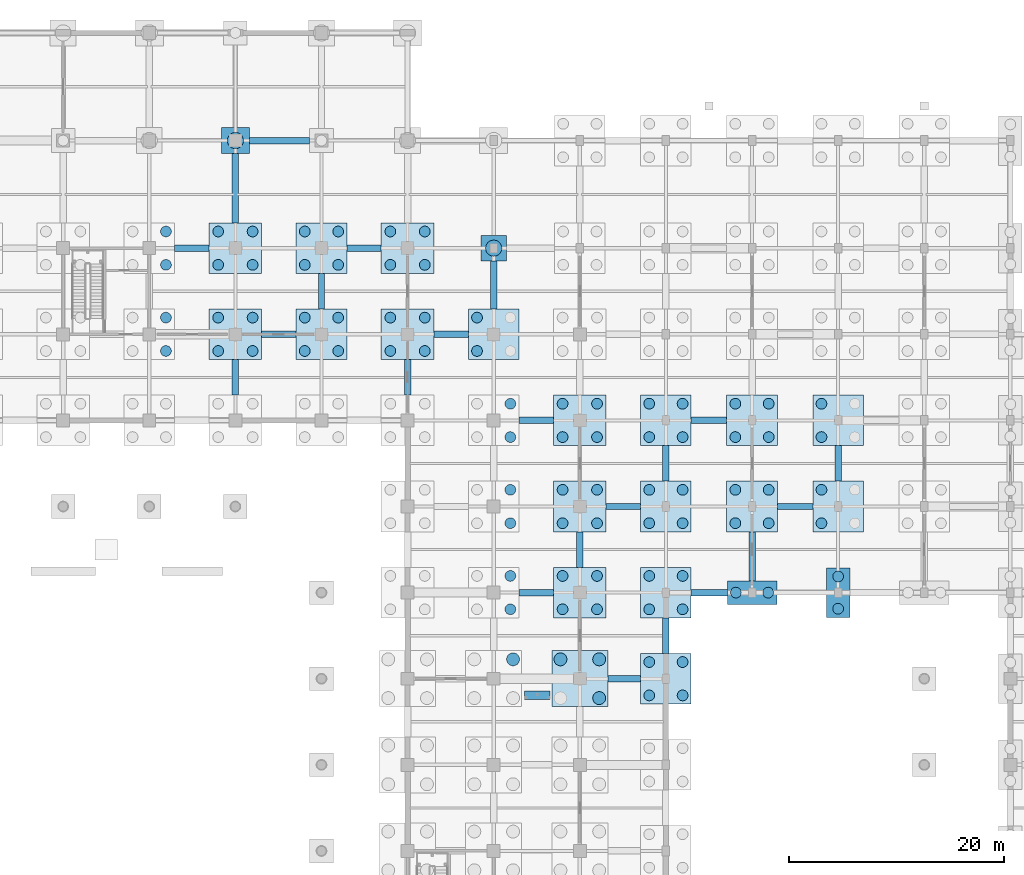
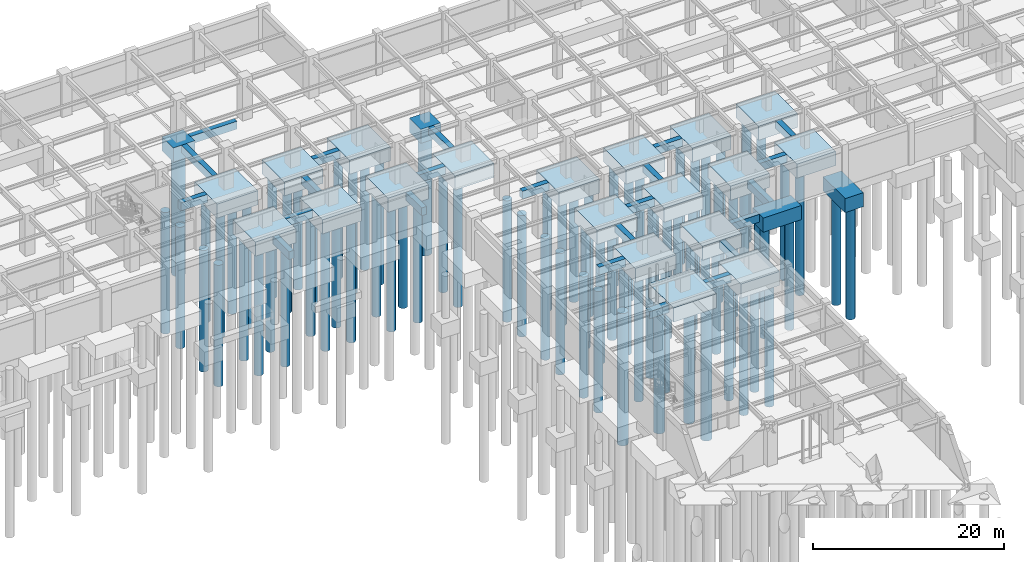
# One storey, part 18 of 97: 86 piles, 46 footings.
"""IFC4 building model written with IfcOpenShell, lengths in metres."""

from ifc_helpers import new_model, si_unit, direction, frame, origin, origin_2d, place, context, subcontext, project, spatial, rectangle, circle, extrude, material, layer, layer_set, material_profile, profile_set, type_object, element, save


model = new_model("IFC4")

# Units and contexts
model_context = context("Model", 3, precision=1e-05, world=origin(), true_north=direction((0.0, 1.0)))
body_context = subcontext(model_context, "Body", "Model", "MODEL_VIEW")
ifc_project = project(units=[si_unit("LENGTHUNIT", "METRE"), si_unit("AREAUNIT", "SQUARE_METRE"), si_unit("VOLUMEUNIT", "CUBIC_METRE"), si_unit("PLANEANGLEUNIT", "RADIAN"), si_unit("MASSUNIT", "GRAM", prefix="KILO")], contexts=[model_context])

# Site, building, storey
site_placement = place(None, origin())
site = spatial("IfcSite", under=ifc_project, at=site_placement, CompositionType="ELEMENT")
building_placement = place(site_placement, origin())
building = spatial("IfcBuilding", under=site, at=building_placement, Name="Haebicheon Civic Stadium", CompositionType="ELEMENT")
storey_placement = place(building_placement, frame((0.0, 0.0, -5.39990234375)))
storey = spatial("IfcBuildingStorey", under=building, at=storey_placement, Name="B1", CompositionType="ELEMENT", Elevation=-5.39990234375)

# Footings
ifc_material_1 = material(Name="Concrete C40/50", Category="concrete")
ifc_layer_1 = layer(ifc_material_1, 1.0, Name="Concrete C40/50")
ifc_layer_set_1 = layer_set([ifc_layer_1], Name="Concrete C40/50")
footing_type_1 = type_object("IfcFootingType", Name="FB-3050x600", PredefinedType="FOOTING_BEAM", material=ifc_layer_set_1)
footing_1_placement = place(storey_placement, frame((164.125, 128.0, -1.0), z_axis=(0.0, 0.0, 1.0), x_axis=(1.0, 0.0, 0.0)))
element("IfcFooting", 1, at=footing_1_placement, inside=storey, type_object=footing_type_1, material=ifc_layer_set_1, Name="Ground tie beam X 20-16", PredefinedType="FOOTING_BEAM", context=body_context, shape_type="SweptSolid", body=[
    extrude(rectangle(XDim=3.050048828125, YDim=0.60009765625, at=origin_2d()), origin(), (0.0, 0.0, 1.0), 1.0),
])
ifc_material_2 = material(Name="Concrete C40/50", Category="concrete")
ifc_layer_2 = layer(ifc_material_2, 1.0, Name="Concrete C40/50")
ifc_layer_set_2 = layer_set([ifc_layer_2], Name="Concrete C40/50")
footing_type_2 = type_object("IfcFootingType", Name="FB-3200x600", PredefinedType="FOOTING_BEAM", material=ifc_layer_set_2)
for number, where, z_axis, x_axis, name in (
    (2, (123.949951171875, 168.0, -1.0), (0.0, 0.0, 1.0), (1.0, 0.0, 0.0), "Ground tie beam X 15-21"),
    (3, (132.050048828125, 160.0, -1.0), (0.0, 0.0, 1.0), (1.0, 0.0, 0.0), "Ground tie beam X 16-20"),
    (4, (139.949951171875, 168.0, -1.0), (0.0, 0.0, 1.0), (1.0, 0.0, 0.0), "Ground tie beam X 17-21"),
    (5, (148.050048828125, 160.0, -1.0), (0.0, 0.0, 1.0), (1.0, 0.0, 0.0), "Ground tie beam X 18-20"),
    (6, (155.949951171875, 136.0, -1.0), (0.0, 0.0, 1.0), (1.0, 0.0, 0.0), "Ground tie beam X 19-17"),
    (7, (155.949951171875, 152.0, -1.0), (0.0, 0.0, 1.0), (1.0, 0.0, 0.0), "Ground tie beam X 19-19"),
    (8, (164.050048828125, 144.0, -1.0), (0.0, 0.0, 1.0), (1.0, 0.0, 0.0), "Ground tie beam X 20-18"),
):
    element("IfcFooting", number, at=place(storey_placement, frame(where, z_axis=z_axis, x_axis=x_axis)), inside=storey, type_object=footing_type_2, material=ifc_layer_set_2, Name=name, PredefinedType="FOOTING_BEAM", context=body_context, shape_type="SweptSolid", body=[
        extrude(rectangle(XDim=3.199951171875, YDim=0.60009765625, at=origin_2d()), origin(), (0.0, 0.0, 1.0), 1.0),
    ])
ifc_material_3 = material(Name="Concrete C40/50", Category="concrete")
ifc_layer_3 = layer(ifc_material_3, 1.0, Name="Concrete C40/50")
ifc_layer_set_3 = layer_set([ifc_layer_3], Name="Concrete C40/50")
footing_type_3 = type_object("IfcFootingType", Name="FB-3300x600", PredefinedType="FOOTING_BEAM", material=ifc_layer_set_3)
for number, where, z_axis, x_axis, name in (
    (9, (128.0, 156.0, -1.0), (0.0, 0.0, 1.0), (0.0, 1.0, 0.0), "Ground tie beam Y 16-19"),
    (10, (136.0, 164.0, -1.0), (0.0, 0.0, 1.0), (0.0, 1.0, 0.0), "Ground tie beam Y 17-20"),
    (11, (144.0, 156.0, -1.0), (0.0, 0.0, 1.0), (0.0, 1.0, 0.0), "Ground tie beam Y 18-19"),
    (12, (160.0, 140.0, -1.0), (0.0, 0.0, 1.0), (0.0, 1.0, 0.0), "Ground tie beam Y 20-17"),
    (13, (168.0, 132.0, -1.0), (0.0, 0.0, 1.0), (0.0, 1.0, 0.0), "Ground tie beam Y 21-16"),
    (14, (168.0, 148.0, -1.0), (0.0, 0.0, 1.0), (0.0, 1.0, 0.0), "Ground tie beam Y 21-18"),
    (15, (172.0, 152.0, -1.0), (0.0, 0.0, 1.0), (1.0, 0.0, 0.0), "Ground tie beam X 21-19"),
    (16, (180.0, 144.0, -1.0), (0.0, 0.0, 1.0), (1.0, 0.0, 0.0), "Ground tie beam X 22-18"),
    (17, (184.0, 148.0, -1.0), (0.0, 0.0, 1.0), (0.0, 1.0, 0.0), "Ground tie beam Y 23-18"),
):
    element("IfcFooting", number, at=place(storey_placement, frame(where, z_axis=z_axis, x_axis=x_axis)), inside=storey, type_object=footing_type_3, material=ifc_layer_set_3, Name=name, PredefinedType="FOOTING_BEAM", context=body_context, shape_type="SweptSolid", body=[
        extrude(rectangle(XDim=3.300048828125, YDim=0.60009765625, at=origin_2d()), origin(), (0.0, 0.0, 1.0), 1.0),
    ])
ifc_material_4 = material(Name="Concrete C40/50", Category="concrete")
ifc_layer_4 = layer(ifc_material_4, 1.0, Name="Concrete C40/50")
ifc_layer_set_4 = layer_set([ifc_layer_4], Name="Concrete C40/50")
footing_type_4 = type_object("IfcFootingType", Name="FB-3350x600", PredefinedType="FOOTING_BEAM", material=ifc_layer_set_4)
footing_2_placement = place(storey_placement, frame((172.02490234375, 136.0, -1.0), z_axis=(0.0, 0.0, 1.0), x_axis=(1.0, 0.0, 0.0)))
element("IfcFooting", 18, at=footing_2_placement, inside=storey, type_object=footing_type_4, material=ifc_layer_set_4, Name="Ground tie beam X 21-17", PredefinedType="FOOTING_BEAM", context=body_context, shape_type="SweptSolid", body=[
    extrude(rectangle(XDim=3.35009765625, YDim=0.60009765625, at=origin_2d()), origin(), (0.0, 0.0, 1.0), 1.0),
])
ifc_material_5 = material(Name="Concrete C40/50", Category="concrete")
ifc_layer_5 = layer(ifc_material_5, 1.0, Name="Concrete C40/50")
ifc_layer_set_5 = layer_set([ifc_layer_5], Name="Concrete C40/50")
footing_type_5 = type_object("IfcFootingType", Name="FB-4450x600", PredefinedType="FOOTING_BEAM", material=ifc_layer_set_5)
footing_3_placement = place(storey_placement, frame((152.0, 164.574951171875, -1.0), z_axis=(0.0, 0.0, 1.0), x_axis=(0.0, 1.0, 0.0)))
element("IfcFooting", 19, at=footing_3_placement, inside=storey, type_object=footing_type_5, material=ifc_layer_set_5, Name="Ground tie beam Y 19-20", PredefinedType="FOOTING_BEAM", context=body_context, shape_type="SweptSolid", body=[
    extrude(rectangle(XDim=4.449951171875, YDim=0.60009765625, at=origin_2d()), origin(), (0.0, 0.0, 1.0), 1.0),
])
ifc_material_6 = material(Name="Concrete C40/50", Category="concrete")
ifc_layer_6 = layer(ifc_material_6, 1.0, Name="Concrete C40/50")
ifc_layer_set_6 = layer_set([ifc_layer_6], Name="Concrete C40/50")
footing_type_6 = type_object("IfcFootingType", Name="FB-4550x600", PredefinedType="FOOTING_BEAM", material=ifc_layer_set_6)
footing_4_placement = place(storey_placement, frame((176.0, 139.375, -1.0), z_axis=(0.0, 0.0, 1.0), x_axis=(0.0, 1.0, 0.0)))
element("IfcFooting", 20, at=footing_4_placement, inside=storey, type_object=footing_type_6, material=ifc_layer_set_6, Name="Ground tie beam Y 22-17", PredefinedType="FOOTING_BEAM", context=body_context, shape_type="SweptSolid", body=[
    extrude(rectangle(XDim=4.550048828125, YDim=0.60009765625, at=origin_2d()), origin(), (0.0, 0.0, 1.0), 1.0),
])
ifc_material_7 = material(Name="Concrete C40/50", Category="concrete")
ifc_layer_7 = layer(ifc_material_7, 1.0, Name="Concrete C40/50")
ifc_layer_set_7 = layer_set([ifc_layer_7], Name="Concrete C40/50")
footing_type_7 = type_object("IfcFootingType", Name="FB-5600x600", PredefinedType="FOOTING_BEAM", material=ifc_layer_set_7)
footing_5_placement = place(storey_placement, frame((132.10009765625, 178.0, -1.0), z_axis=(0.0, 0.0, 1.0), x_axis=(1.0, 0.0, 0.0)))
element("IfcFooting", 21, at=footing_5_placement, inside=storey, type_object=footing_type_7, material=ifc_layer_set_7, Name="Ground tie beam X 16-22", PredefinedType="FOOTING_BEAM", context=body_context, shape_type="SweptSolid", body=[
    extrude(rectangle(XDim=5.60009765625, YDim=0.60009765625, at=origin_2d()), origin(), (0.0, 0.0, 1.0), 1.0),
])
ifc_material_8 = material(Name="Concrete C40/50", Category="concrete")
ifc_layer_8 = layer(ifc_material_8, 1.0, Name="Concrete C40/50")
ifc_layer_set_8 = layer_set([ifc_layer_8], Name="Concrete C40/50")
footing_type_8 = type_object("IfcFootingType", Name="FB-6450x600", PredefinedType="FOOTING_BEAM", material=ifc_layer_set_8)
footing_6_placement = place(storey_placement, frame((128.0, 173.574951171875, -1.0), z_axis=(0.0, 0.0, 1.0), x_axis=(0.0, 1.0, 0.0)))
element("IfcFooting", 22, at=footing_6_placement, inside=storey, type_object=footing_type_8, material=ifc_layer_set_8, Name="Ground tie beam Y 16-21", PredefinedType="FOOTING_BEAM", context=body_context, shape_type="SweptSolid", body=[
    extrude(rectangle(XDim=6.449951171875, YDim=0.60009765625, at=origin_2d()), origin(), (0.0, 0.0, 1.0), 1.0),
])
ifc_material_9 = material(Name="Concrete C40/50", Category="concrete")
ifc_layer_9 = layer(ifc_material_9, 1.800048828125, Name="Concrete C40/50")
ifc_layer_set_9 = layer_set([ifc_layer_9], Name="Concrete C40/50")
footing_type_9 = type_object("IfcFootingType", Name="PC-1P-2400", PredefinedType="PILE_CAP", material=ifc_layer_set_9)
footing_7_placement = place(storey_placement, frame((152.0, 168.0, -1.80029296875), z_axis=(0.0, 0.0, 1.0), x_axis=(1.0, 0.0, 0.0)))
element("IfcFooting", 23, at=footing_7_placement, inside=storey, type_object=footing_type_9, material=ifc_layer_set_9, Name="Pile cap FT-PC-19-21", PredefinedType="PILE_CAP", context=body_context, shape_type="SweptSolid", body=[
    extrude(rectangle(XDim=2.39990234375, YDim=2.39990234375, at=origin_2d()), origin(), (0.0, 0.0, 1.0), 1.800048828125),
])
ifc_material_10 = material(Name="Concrete C40/50", Category="concrete")
ifc_layer_10 = layer(ifc_material_10, 1.800048828125, Name="Concrete C40/50")
ifc_layer_set_10 = layer_set([ifc_layer_10], Name="Concrete C40/50")
footing_type_10 = type_object("IfcFootingType", Name="PC-1P-2600", PredefinedType="PILE_CAP", material=ifc_layer_set_10)
footing_8_placement = place(storey_placement, frame((128.0, 178.0, -1.80029296875), z_axis=(0.0, 0.0, 1.0), x_axis=(1.0, 0.0, 0.0)))
element("IfcFooting", 24, at=footing_8_placement, inside=storey, type_object=footing_type_10, material=ifc_layer_set_10, Name="Pile cap FT-PC-16-22", PredefinedType="PILE_CAP", context=body_context, shape_type="SweptSolid", body=[
    extrude(rectangle(XDim=2.60009765625, YDim=2.39990234375, at=origin_2d()), origin(), (0.0, 0.0, 1.0), 1.800048828125),
])
ifc_material_11 = material(Name="Concrete C40/50", Category="concrete")
ifc_layer_11 = layer(ifc_material_11, 1.800048828125, Name="Concrete C40/50")
ifc_layer_set_11 = layer_set([ifc_layer_11], Name="Concrete C40/50")
footing_type_11 = type_object("IfcFootingType", Name="PC-2P-2200", PredefinedType="PILE_CAP", material=ifc_layer_set_11)
footing_9_placement = place(storey_placement, frame((184.0, 136.0, -1.80029296875), z_axis=(0.0, 0.0, 1.0), x_axis=(1.0, 0.0, 0.0)))
element("IfcFooting", 25, at=footing_9_placement, inside=storey, type_object=footing_type_11, material=ifc_layer_set_11, Name="Pile cap FT-PC-23-17", PredefinedType="PILE_CAP", context=body_context, shape_type="SweptSolid", body=[
    extrude(rectangle(XDim=2.199951171875, YDim=4.60009765625, at=origin_2d()), origin(), (0.0, 0.0, 1.0), 1.800048828125),
])
ifc_material_12 = material(Name="Concrete C40/50", Category="concrete")
ifc_layer_12 = layer(ifc_material_12, 1.800048828125, Name="Concrete C40/50")
ifc_layer_set_12 = layer_set([ifc_layer_12], Name="Concrete C40/50")
footing_type_12 = type_object("IfcFootingType", Name="PC-2P-4600", PredefinedType="PILE_CAP", material=ifc_layer_set_12)
footing_10_placement = place(storey_placement, frame((176.0, 136.0, -1.80029296875), z_axis=(0.0, 0.0, 1.0), x_axis=(1.0, 0.0, 0.0)))
element("IfcFooting", 26, at=footing_10_placement, inside=storey, type_object=footing_type_12, material=ifc_layer_set_12, Name="Pile cap FT-PC-22-17", PredefinedType="PILE_CAP", context=body_context, shape_type="SweptSolid", body=[
    extrude(rectangle(XDim=4.60009765625, YDim=2.199951171875, at=origin_2d()), origin(), (0.0, 0.0, 1.0), 1.800048828125),
])
ifc_material_13 = material(Name="Concrete C40/50", Category="concrete")
ifc_layer_13 = layer(ifc_material_13, 1.800048828125, Name="Concrete C40/50")
ifc_layer_set_13 = layer_set([ifc_layer_13], Name="Concrete C40/50")
footing_type_13 = type_object("IfcFootingType", Name="PC-4P-4700", PredefinedType="PILE_CAP", material=ifc_layer_set_13)
for number, where, z_axis, x_axis, name in (
    (27, (136.0, 160.0, -1.80029296875), (0.0, 0.0, 1.0), (1.0, 0.0, 0.0), "Pile cap FT-PC-17-20"),
    (28, (136.0, 168.0, -1.80029296875), (0.0, 0.0, 1.0), (1.0, 0.0, 0.0), "Pile cap FT-PC-17-21"),
    (29, (152.0, 160.0, -1.80029296875), (0.0, 0.0, 1.0), (1.0, 0.0, 0.0), "Pile cap FT-PC-19-20"),
    (30, (168.0, 128.0, -1.80029296875), (0.0, 0.0, 1.0), (1.0, 0.0, 0.0), "Pile cap FT-PC-21-16"),
    (31, (168.0, 136.0, -1.80029296875), (0.0, 0.0, 1.0), (1.0, 0.0, 0.0), "Pile cap FT-PC-21-17"),
    (32, (168.0, 144.0, -1.80029296875), (0.0, 0.0, 1.0), (1.0, 0.0, 0.0), "Pile cap FT-PC-21-18"),
    (33, (168.0, 152.0, -1.80029296875), (0.0, 0.0, 1.0), (1.0, 0.0, 0.0), "Pile cap FT-PC-21-19"),
    (34, (176.0, 144.0, -1.80029296875), (0.0, 0.0, 1.0), (1.0, 0.0, 0.0), "Pile cap FT-PC-22-18"),
    (35, (176.0, 152.0, -1.80029296875), (0.0, 0.0, 1.0), (1.0, 0.0, 0.0), "Pile cap FT-PC-22-19"),
    (36, (184.0, 144.0, -1.80029296875), (0.0, 0.0, 1.0), (1.0, 0.0, 0.0), "Pile cap FT-PC-23-18"),
    (37, (184.0, 152.0, -1.80029296875), (0.0, 0.0, 1.0), (1.0, 0.0, 0.0), "Pile cap FT-PC-23-19"),
):
    element("IfcFooting", number, at=place(storey_placement, frame(where, z_axis=z_axis, x_axis=x_axis)), inside=storey, type_object=footing_type_13, material=ifc_layer_set_13, Name=name, PredefinedType="PILE_CAP", context=body_context, shape_type="SweptSolid", body=[
        extrude(rectangle(XDim=4.699951171875, YDim=4.699951171875, at=origin_2d()), origin(), (0.0, 0.0, 1.0), 1.800048828125),
    ])
ifc_material_14 = material(Name="Concrete C40/50", Category="concrete")
ifc_layer_14 = layer(ifc_material_14, 1.800048828125, Name="Concrete C40/50")
ifc_layer_set_14 = layer_set([ifc_layer_14], Name="Concrete C40/50")
footing_type_14 = type_object("IfcFootingType", Name="PC-4P-4900", PredefinedType="PILE_CAP", material=ifc_layer_set_14)
for number, where, z_axis, x_axis, name in (
    (38, (128.0, 160.0, -1.80029296875), (0.0, 0.0, 1.0), (1.0, 0.0, 0.0), "Pile cap FT-PC-16-20"),
    (39, (128.0, 168.0, -1.80029296875), (0.0, 0.0, 1.0), (1.0, 0.0, 0.0), "Pile cap FT-PC-16-21"),
    (40, (144.0, 160.0, -1.80029296875), (0.0, 0.0, 1.0), (1.0, 0.0, 0.0), "Pile cap FT-PC-18-20"),
    (41, (144.0, 168.0, -1.80029296875), (0.0, 0.0, 1.0), (1.0, 0.0, 0.0), "Pile cap FT-PC-18-21"),
    (42, (160.0, 136.0, -1.80029296875), (0.0, 0.0, 1.0), (1.0, 0.0, 0.0), "Pile cap FT-PC-20-17"),
    (43, (160.0, 144.0, -1.80029296875), (0.0, 0.0, 1.0), (1.0, 0.0, 0.0), "Pile cap FT-PC-20-18"),
    (44, (160.0, 152.0, -1.80029296875), (0.0, 0.0, 1.0), (1.0, 0.0, 0.0), "Pile cap FT-PC-20-19"),
):
    element("IfcFooting", number, at=place(storey_placement, frame(where, z_axis=z_axis, x_axis=x_axis)), inside=storey, type_object=footing_type_14, material=ifc_layer_set_14, Name=name, PredefinedType="PILE_CAP", context=body_context, shape_type="SweptSolid", body=[
        extrude(rectangle(XDim=4.89990234375, YDim=4.699951171875, at=origin_2d()), origin(), (0.0, 0.0, 1.0), 1.800048828125),
    ])
ifc_material_15 = material(Name="Concrete C40/50", Category="concrete")
ifc_layer_15 = layer(ifc_material_15, 1.800048828125, Name="Concrete C40/50")
ifc_layer_set_15 = layer_set([ifc_layer_15], Name="Concrete C40/50")
footing_type_15 = type_object("IfcFootingType", Name="PC-4P-5200", PredefinedType="PILE_CAP", material=ifc_layer_set_15)
footing_11_placement = place(storey_placement, frame((160.0, 128.0, -1.80029296875), z_axis=(0.0, 0.0, 1.0), x_axis=(1.0, 0.0, 0.0)))
element("IfcFooting", 45, at=footing_11_placement, inside=storey, type_object=footing_type_15, material=ifc_layer_set_15, Name="Pile cap FT-PC-20-16", PredefinedType="PILE_CAP", context=body_context, shape_type="SweptSolid", body=[
    extrude(rectangle(XDim=5.199951171875, YDim=5.199951171875, at=origin_2d()), origin(), (0.0, 0.0, 1.0), 1.800048828125),
])
ifc_material_16 = material(Name="Concrete C35/45", Category="concrete")
ifc_layer_16 = layer(ifc_material_16, 0.89990234375, Name="Concrete C35/45")
ifc_layer_set_16 = layer_set([ifc_layer_16], Name="Concrete C35/45")
footing_type_16 = type_object("IfcFootingType", Name="PF-2360x800", PredefinedType="PAD_FOOTING", material=ifc_layer_set_16)
footing_12_placement = place(storey_placement, frame((156.050048828125, 126.449951171875, -0.900146484375), z_axis=(0.0, 0.0, 1.0), x_axis=(1.0, 0.0, 0.0)))
element("IfcFooting", 46, at=footing_12_placement, inside=storey, type_object=footing_type_16, material=ifc_layer_set_16, Name="VM-08 vomitory landing pad footing", PredefinedType="PAD_FOOTING", context=body_context, shape_type="SweptSolid", body=[
    extrude(rectangle(XDim=2.360107421875, YDim=0.800048828125, at=origin_2d()), origin(), (0.0, 0.0, 1.0), 0.89990234375),
])

# Piles
ifc_material_17 = material(Name="Concrete C40/50", Category="concrete")
ifc_material_profile_1 = material_profile(ifc_material_17, circle(Radius=0.5, at=origin_2d()), Name="PILE-D1000")
ifc_profile_set_1 = profile_set([ifc_material_profile_1], Name="Concrete C40/50")
pile_type_1 = type_object("IfcPileType", Name="PL-D1000", PredefinedType="BORED", material=ifc_profile_set_1)
for number, where, z_axis, x_axis, name in (
    (47, (121.550048828125, 158.449951171875, -1.7001953125), (0.0, 0.0, -1.0), (1.0, 0.0, 0.0), "Bored pile 15-20-2"),
    (48, (121.550048828125, 161.550048828125, -1.7001953125), (0.0, 0.0, -1.0), (1.0, 0.0, 0.0), "Bored pile 15-20-4"),
    (49, (121.550048828125, 166.449951171875, -1.7001953125), (0.0, 0.0, -1.0), (1.0, 0.0, 0.0), "Bored pile 15-21-2"),
    (50, (121.550048828125, 169.550048828125, -1.7001953125), (0.0, 0.0, -1.0), (1.0, 0.0, 0.0), "Bored pile 15-21-4"),
):
    element("IfcPile", number, at=place(storey_placement, frame(where, z_axis=z_axis, x_axis=x_axis)), inside=storey, type_object=pile_type_1, material=ifc_profile_set_1, Name=name, PredefinedType="BORED", context=body_context, shape_type="SweptSolid", body=[
        extrude(circle(Radius=0.5, at=origin_2d()), origin(), (0.0, 0.0, 1.0), 15.5),
    ])
for number, where, z_axis, x_axis, name in (
    (51, (126.39990234375, 158.449951171875, -1.7001953125), (0.0, 0.0, -1.0), (1.0, 0.0, 0.0), "Bored pile 16-20-1"),
    (52, (129.60009765625, 158.449951171875, -1.7001953125), (0.0, 0.0, -1.0), (1.0, 0.0, 0.0), "Bored pile 16-20-2"),
    (53, (126.39990234375, 161.550048828125, -1.7001953125), (0.0, 0.0, -1.0), (1.0, 0.0, 0.0), "Bored pile 16-20-3"),
    (54, (129.60009765625, 161.550048828125, -1.7001953125), (0.0, 0.0, -1.0), (1.0, 0.0, 0.0), "Bored pile 16-20-4"),
    (55, (126.39990234375, 166.449951171875, -1.7001953125), (0.0, 0.0, -1.0), (1.0, 0.0, 0.0), "Bored pile 16-21-1"),
    (56, (129.60009765625, 166.449951171875, -1.7001953125), (0.0, 0.0, -1.0), (1.0, 0.0, 0.0), "Bored pile 16-21-2"),
    (57, (126.39990234375, 169.550048828125, -1.7001953125), (0.0, 0.0, -1.0), (1.0, 0.0, 0.0), "Bored pile 16-21-3"),
    (58, (129.60009765625, 169.550048828125, -1.7001953125), (0.0, 0.0, -1.0), (1.0, 0.0, 0.0), "Bored pile 16-21-4"),
):
    element("IfcPile", number, at=place(storey_placement, frame(where, z_axis=z_axis, x_axis=x_axis)), inside=storey, type_object=pile_type_1, material=ifc_profile_set_1, Name=name, PredefinedType="BORED", context=body_context, shape_type="SweptSolid", body=[
        extrude(circle(Radius=0.5, at=origin_2d()), origin(), (0.0, 0.0, 1.0), 15.800048828125),
    ])
for number, where, z_axis, x_axis, name in (
    (59, (134.449951171875, 158.449951171875, -1.7001953125), (0.0, 0.0, -1.0), (1.0, 0.0, 0.0), "Bored pile 17-20-1"),
    (60, (137.550048828125, 158.449951171875, -1.7001953125), (0.0, 0.0, -1.0), (1.0, 0.0, 0.0), "Bored pile 17-20-2"),
    (61, (134.449951171875, 161.550048828125, -1.7001953125), (0.0, 0.0, -1.0), (1.0, 0.0, 0.0), "Bored pile 17-20-3"),
    (62, (137.550048828125, 161.550048828125, -1.7001953125), (0.0, 0.0, -1.0), (1.0, 0.0, 0.0), "Bored pile 17-20-4"),
    (63, (134.449951171875, 166.449951171875, -1.7001953125), (0.0, 0.0, -1.0), (1.0, 0.0, 0.0), "Bored pile 17-21-1"),
    (64, (137.550048828125, 166.449951171875, -1.7001953125), (0.0, 0.0, -1.0), (1.0, 0.0, 0.0), "Bored pile 17-21-2"),
    (65, (134.449951171875, 169.550048828125, -1.7001953125), (0.0, 0.0, -1.0), (1.0, 0.0, 0.0), "Bored pile 17-21-3"),
    (66, (137.550048828125, 169.550048828125, -1.7001953125), (0.0, 0.0, -1.0), (1.0, 0.0, 0.0), "Bored pile 17-21-4"),
):
    element("IfcPile", number, at=place(storey_placement, frame(where, z_axis=z_axis, x_axis=x_axis)), inside=storey, type_object=pile_type_1, material=ifc_profile_set_1, Name=name, PredefinedType="BORED", context=body_context, shape_type="SweptSolid", body=[
        extrude(circle(Radius=0.5, at=origin_2d()), origin(), (0.0, 0.0, 1.0), 15.5),
    ])
for number, where, z_axis, x_axis, name in (
    (67, (142.39990234375, 158.449951171875, -1.7001953125), (0.0, 0.0, -1.0), (1.0, 0.0, 0.0), "Bored pile 18-20-1"),
    (68, (145.60009765625, 158.449951171875, -1.7001953125), (0.0, 0.0, -1.0), (1.0, 0.0, 0.0), "Bored pile 18-20-2"),
    (69, (142.39990234375, 161.550048828125, -1.7001953125), (0.0, 0.0, -1.0), (1.0, 0.0, 0.0), "Bored pile 18-20-3"),
    (70, (145.60009765625, 161.550048828125, -1.7001953125), (0.0, 0.0, -1.0), (1.0, 0.0, 0.0), "Bored pile 18-20-4"),
    (71, (142.39990234375, 166.449951171875, -1.7001953125), (0.0, 0.0, -1.0), (1.0, 0.0, 0.0), "Bored pile 18-21-1"),
    (72, (145.60009765625, 166.449951171875, -1.7001953125), (0.0, 0.0, -1.0), (1.0, 0.0, 0.0), "Bored pile 18-21-2"),
    (73, (142.39990234375, 169.550048828125, -1.7001953125), (0.0, 0.0, -1.0), (1.0, 0.0, 0.0), "Bored pile 18-21-3"),
    (74, (145.60009765625, 169.550048828125, -1.7001953125), (0.0, 0.0, -1.0), (1.0, 0.0, 0.0), "Bored pile 18-21-4"),
):
    element("IfcPile", number, at=place(storey_placement, frame(where, z_axis=z_axis, x_axis=x_axis)), inside=storey, type_object=pile_type_1, material=ifc_profile_set_1, Name=name, PredefinedType="BORED", context=body_context, shape_type="SweptSolid", body=[
        extrude(circle(Radius=0.5, at=origin_2d()), origin(), (0.0, 0.0, 1.0), 15.800048828125),
    ])
for number, where, z_axis, x_axis, name in (
    (75, (153.550048828125, 134.449951171875, -1.7001953125), (0.0, 0.0, -1.0), (1.0, 0.0, 0.0), "Bored pile 19-17-2"),
    (76, (153.550048828125, 137.550048828125, -1.7001953125), (0.0, 0.0, -1.0), (1.0, 0.0, 0.0), "Bored pile 19-17-4"),
    (77, (153.550048828125, 142.449951171875, -1.7001953125), (0.0, 0.0, -1.0), (1.0, 0.0, 0.0), "Bored pile 19-18-2"),
    (78, (153.550048828125, 145.550048828125, -1.7001953125), (0.0, 0.0, -1.0), (1.0, 0.0, 0.0), "Bored pile 19-18-4"),
    (79, (153.550048828125, 150.449951171875, -1.7001953125), (0.0, 0.0, -1.0), (1.0, 0.0, 0.0), "Bored pile 19-19-2"),
    (80, (153.550048828125, 153.550048828125, -1.7001953125), (0.0, 0.0, -1.0), (1.0, 0.0, 0.0), "Bored pile 19-19-4"),
    (81, (150.449951171875, 158.449951171875, -1.7001953125), (0.0, 0.0, -1.0), (1.0, 0.0, 0.0), "Bored pile 19-20-1"),
    (82, (150.449951171875, 161.550048828125, -1.7001953125), (0.0, 0.0, -1.0), (1.0, 0.0, 0.0), "Bored pile 19-20-3"),
):
    element("IfcPile", number, at=place(storey_placement, frame(where, z_axis=z_axis, x_axis=x_axis)), inside=storey, type_object=pile_type_1, material=ifc_profile_set_1, Name=name, PredefinedType="BORED", context=body_context, shape_type="SweptSolid", body=[
        extrude(circle(Radius=0.5, at=origin_2d()), origin(), (0.0, 0.0, 1.0), 15.5),
    ])
for number, where, z_axis, x_axis, name in (
    (83, (158.39990234375, 134.449951171875, -1.7001953125), (0.0, 0.0, -1.0), (1.0, 0.0, 0.0), "Bored pile 20-17-1"),
    (84, (161.60009765625, 134.449951171875, -1.7001953125), (0.0, 0.0, -1.0), (1.0, 0.0, 0.0), "Bored pile 20-17-2"),
    (85, (158.39990234375, 137.550048828125, -1.7001953125), (0.0, 0.0, -1.0), (1.0, 0.0, 0.0), "Bored pile 20-17-3"),
    (86, (161.60009765625, 137.550048828125, -1.7001953125), (0.0, 0.0, -1.0), (1.0, 0.0, 0.0), "Bored pile 20-17-4"),
    (87, (158.39990234375, 142.449951171875, -1.7001953125), (0.0, 0.0, -1.0), (1.0, 0.0, 0.0), "Bored pile 20-18-1"),
    (88, (161.60009765625, 142.449951171875, -1.7001953125), (0.0, 0.0, -1.0), (1.0, 0.0, 0.0), "Bored pile 20-18-2"),
    (89, (158.39990234375, 145.550048828125, -1.7001953125), (0.0, 0.0, -1.0), (1.0, 0.0, 0.0), "Bored pile 20-18-3"),
    (90, (161.60009765625, 145.550048828125, -1.7001953125), (0.0, 0.0, -1.0), (1.0, 0.0, 0.0), "Bored pile 20-18-4"),
    (91, (158.39990234375, 150.449951171875, -1.7001953125), (0.0, 0.0, -1.0), (1.0, 0.0, 0.0), "Bored pile 20-19-1"),
    (92, (161.60009765625, 150.449951171875, -1.7001953125), (0.0, 0.0, -1.0), (1.0, 0.0, 0.0), "Bored pile 20-19-2"),
    (93, (158.39990234375, 153.550048828125, -1.7001953125), (0.0, 0.0, -1.0), (1.0, 0.0, 0.0), "Bored pile 20-19-3"),
    (94, (161.60009765625, 153.550048828125, -1.7001953125), (0.0, 0.0, -1.0), (1.0, 0.0, 0.0), "Bored pile 20-19-4"),
):
    element("IfcPile", number, at=place(storey_placement, frame(where, z_axis=z_axis, x_axis=x_axis)), inside=storey, type_object=pile_type_1, material=ifc_profile_set_1, Name=name, PredefinedType="BORED", context=body_context, shape_type="SweptSolid", body=[
        extrude(circle(Radius=0.5, at=origin_2d()), origin(), (0.0, 0.0, 1.0), 15.800048828125),
    ])
for number, where, z_axis, x_axis, name in (
    (95, (166.449951171875, 126.449951171875, -1.7001953125), (0.0, 0.0, -1.0), (1.0, 0.0, 0.0), "Bored pile 21-16-1"),
    (96, (169.550048828125, 126.449951171875, -1.7001953125), (0.0, 0.0, -1.0), (1.0, 0.0, 0.0), "Bored pile 21-16-2"),
    (97, (166.449951171875, 129.550048828125, -1.7001953125), (0.0, 0.0, -1.0), (1.0, 0.0, 0.0), "Bored pile 21-16-3"),
    (98, (169.550048828125, 129.550048828125, -1.7001953125), (0.0, 0.0, -1.0), (1.0, 0.0, 0.0), "Bored pile 21-16-4"),
    (99, (166.449951171875, 134.449951171875, -1.7001953125), (0.0, 0.0, -1.0), (1.0, 0.0, 0.0), "Bored pile 21-17-1"),
    (100, (169.550048828125, 134.449951171875, -1.7001953125), (0.0, 0.0, -1.0), (1.0, 0.0, 0.0), "Bored pile 21-17-2"),
    (101, (166.449951171875, 137.550048828125, -1.7001953125), (0.0, 0.0, -1.0), (1.0, 0.0, 0.0), "Bored pile 21-17-3"),
    (102, (169.550048828125, 137.550048828125, -1.7001953125), (0.0, 0.0, -1.0), (1.0, 0.0, 0.0), "Bored pile 21-17-4"),
    (103, (166.449951171875, 142.449951171875, -1.7001953125), (0.0, 0.0, -1.0), (1.0, 0.0, 0.0), "Bored pile 21-18-1"),
    (104, (169.550048828125, 142.449951171875, -1.7001953125), (0.0, 0.0, -1.0), (1.0, 0.0, 0.0), "Bored pile 21-18-2"),
    (105, (166.449951171875, 145.550048828125, -1.7001953125), (0.0, 0.0, -1.0), (1.0, 0.0, 0.0), "Bored pile 21-18-3"),
    (106, (169.550048828125, 145.550048828125, -1.7001953125), (0.0, 0.0, -1.0), (1.0, 0.0, 0.0), "Bored pile 21-18-4"),
    (107, (166.449951171875, 150.449951171875, -1.7001953125), (0.0, 0.0, -1.0), (1.0, 0.0, 0.0), "Bored pile 21-19-1"),
    (108, (169.550048828125, 150.449951171875, -1.7001953125), (0.0, 0.0, -1.0), (1.0, 0.0, 0.0), "Bored pile 21-19-2"),
    (109, (166.449951171875, 153.550048828125, -1.7001953125), (0.0, 0.0, -1.0), (1.0, 0.0, 0.0), "Bored pile 21-19-3"),
    (110, (169.550048828125, 153.550048828125, -1.7001953125), (0.0, 0.0, -1.0), (1.0, 0.0, 0.0), "Bored pile 21-19-4"),
):
    element("IfcPile", number, at=place(storey_placement, frame(where, z_axis=z_axis, x_axis=x_axis)), inside=storey, type_object=pile_type_1, material=ifc_profile_set_1, Name=name, PredefinedType="BORED", context=body_context, shape_type="SweptSolid", body=[
        extrude(circle(Radius=0.5, at=origin_2d()), origin(), (0.0, 0.0, 1.0), 15.5),
    ])
for number, where, z_axis, x_axis, name in (
    (111, (174.5, 136.0, -1.7001953125), (0.0, 0.0, -1.0), (1.0, 0.0, 0.0), "Bored pile 22-17-1"),
    (112, (177.5, 136.0, -1.7001953125), (0.0, 0.0, -1.0), (1.0, 0.0, 0.0), "Bored pile 22-17-2"),
):
    element("IfcPile", number, at=place(storey_placement, frame(where, z_axis=z_axis, x_axis=x_axis)), inside=storey, type_object=pile_type_1, material=ifc_profile_set_1, Name=name, PredefinedType="BORED", context=body_context, shape_type="SweptSolid", body=[
        extrude(circle(Radius=0.5, at=origin_2d()), origin(), (0.0, 0.0, 1.0), 14.300048828125),
    ])
for number, where, z_axis, x_axis, name in (
    (113, (174.449951171875, 142.449951171875, -1.7001953125), (0.0, 0.0, -1.0), (1.0, 0.0, 0.0), "Bored pile 22-18-1"),
    (114, (177.550048828125, 142.449951171875, -1.7001953125), (0.0, 0.0, -1.0), (1.0, 0.0, 0.0), "Bored pile 22-18-2"),
    (115, (174.449951171875, 145.550048828125, -1.7001953125), (0.0, 0.0, -1.0), (1.0, 0.0, 0.0), "Bored pile 22-18-3"),
    (116, (177.550048828125, 145.550048828125, -1.7001953125), (0.0, 0.0, -1.0), (1.0, 0.0, 0.0), "Bored pile 22-18-4"),
    (117, (174.449951171875, 150.449951171875, -1.7001953125), (0.0, 0.0, -1.0), (1.0, 0.0, 0.0), "Bored pile 22-19-1"),
    (118, (177.550048828125, 150.449951171875, -1.7001953125), (0.0, 0.0, -1.0), (1.0, 0.0, 0.0), "Bored pile 22-19-2"),
    (119, (174.449951171875, 153.550048828125, -1.7001953125), (0.0, 0.0, -1.0), (1.0, 0.0, 0.0), "Bored pile 22-19-3"),
    (120, (177.550048828125, 153.550048828125, -1.7001953125), (0.0, 0.0, -1.0), (1.0, 0.0, 0.0), "Bored pile 22-19-4"),
):
    element("IfcPile", number, at=place(storey_placement, frame(where, z_axis=z_axis, x_axis=x_axis)), inside=storey, type_object=pile_type_1, material=ifc_profile_set_1, Name=name, PredefinedType="BORED", context=body_context, shape_type="SweptSolid", body=[
        extrude(circle(Radius=0.5, at=origin_2d()), origin(), (0.0, 0.0, 1.0), 15.5),
    ])
for number, where, z_axis, x_axis, name in (
    (121, (184.0, 134.5, -1.7001953125), (0.0, 0.0, -1.0), (1.0, 0.0, 0.0), "Bored pile 23-17-1"),
    (122, (184.0, 137.5, -1.7001953125), (0.0, 0.0, -1.0), (1.0, 0.0, 0.0), "Bored pile 23-17-2"),
):
    element("IfcPile", number, at=place(storey_placement, frame(where, z_axis=z_axis, x_axis=x_axis)), inside=storey, type_object=pile_type_1, material=ifc_profile_set_1, Name=name, PredefinedType="BORED", context=body_context, shape_type="SweptSolid", body=[
        extrude(circle(Radius=0.5, at=origin_2d()), origin(), (0.0, 0.0, 1.0), 14.300048828125),
    ])
for number, where, z_axis, x_axis, name in (
    (123, (182.449951171875, 142.449951171875, -1.7001953125), (0.0, 0.0, -1.0), (1.0, 0.0, 0.0), "Bored pile 23-18-1"),
    (124, (182.449951171875, 145.550048828125, -1.7001953125), (0.0, 0.0, -1.0), (1.0, 0.0, 0.0), "Bored pile 23-18-3"),
    (125, (182.449951171875, 150.449951171875, -1.7001953125), (0.0, 0.0, -1.0), (1.0, 0.0, 0.0), "Bored pile 23-19-1"),
    (126, (182.449951171875, 153.550048828125, -1.7001953125), (0.0, 0.0, -1.0), (1.0, 0.0, 0.0), "Bored pile 23-19-3"),
):
    element("IfcPile", number, at=place(storey_placement, frame(where, z_axis=z_axis, x_axis=x_axis)), inside=storey, type_object=pile_type_1, material=ifc_profile_set_1, Name=name, PredefinedType="BORED", context=body_context, shape_type="SweptSolid", body=[
        extrude(circle(Radius=0.5, at=origin_2d()), origin(), (0.0, 0.0, 1.0), 15.5),
    ])
ifc_material_18 = material(Name="Concrete C40/50", Category="concrete")
ifc_material_profile_2 = material_profile(ifc_material_18, circle(Radius=0.60009765625, at=origin_2d()), Name="PILE-D1200")
ifc_profile_set_2 = profile_set([ifc_material_profile_2], Name="Concrete C40/50")
pile_type_2 = type_object("IfcPileType", Name="PL-D1200", PredefinedType="BORED", material=ifc_profile_set_2)
for number, where, z_axis, x_axis, name in (
    (127, (153.800048828125, 129.800048828125, -1.7001953125), (0.0, 0.0, -1.0), (1.0, 0.0, 0.0), "Bored pile 19-16-4"),
    (128, (161.800048828125, 126.199951171875, -1.7001953125), (0.0, 0.0, -1.0), (1.0, 0.0, 0.0), "Bored pile 20-16-2"),
    (129, (158.199951171875, 129.800048828125, -1.7001953125), (0.0, 0.0, -1.0), (1.0, 0.0, 0.0), "Bored pile 20-16-3"),
    (130, (161.800048828125, 129.800048828125, -1.7001953125), (0.0, 0.0, -1.0), (1.0, 0.0, 0.0), "Bored pile 20-16-4"),
):
    element("IfcPile", number, at=place(storey_placement, frame(where, z_axis=z_axis, x_axis=x_axis)), inside=storey, type_object=pile_type_2, material=ifc_profile_set_2, Name=name, PredefinedType="BORED", context=body_context, shape_type="SweptSolid", body=[
        extrude(circle(Radius=0.60009765625, at=origin_2d()), origin(), (0.0, 0.0, 1.0), 16.89990234375),
    ])
ifc_material_19 = material(Name="Concrete C40/50", Category="concrete")
ifc_material_profile_3 = material_profile(ifc_material_19, circle(Radius=0.75, at=origin_2d()), Name="PILE-D1500")
ifc_profile_set_3 = profile_set([ifc_material_profile_3], Name="Concrete C40/50")
pile_type_3 = type_object("IfcPileType", Name="PL-D1500", PredefinedType="BORED", material=ifc_profile_set_3)
pile_1_placement = place(storey_placement, frame((128.0, 178.0, -1.7001953125), z_axis=(0.0, 0.0, -1.0), x_axis=(1.0, 0.0, 0.0)))
element("IfcPile", 131, at=pile_1_placement, inside=storey, type_object=pile_type_3, material=ifc_profile_set_3, Name="Bored pile 16-22-1", PredefinedType="BORED", context=body_context, shape_type="SweptSolid", body=[
    extrude(circle(Radius=0.75, at=origin_2d()), origin(), (0.0, 0.0, 1.0), 15.39990234375),
])
pile_2_placement = place(storey_placement, frame((152.0, 168.0, -1.7001953125), z_axis=(0.0, 0.0, -1.0), x_axis=(1.0, 0.0, 0.0)))
element("IfcPile", 132, at=pile_2_placement, inside=storey, type_object=pile_type_3, material=ifc_profile_set_3, Name="Bored pile 19-21-1", PredefinedType="BORED", context=body_context, shape_type="SweptSolid", body=[
    extrude(circle(Radius=0.75, at=origin_2d()), origin(), (0.0, 0.0, 1.0), 15.10009765625),
])

save(model, "model.ifc")
